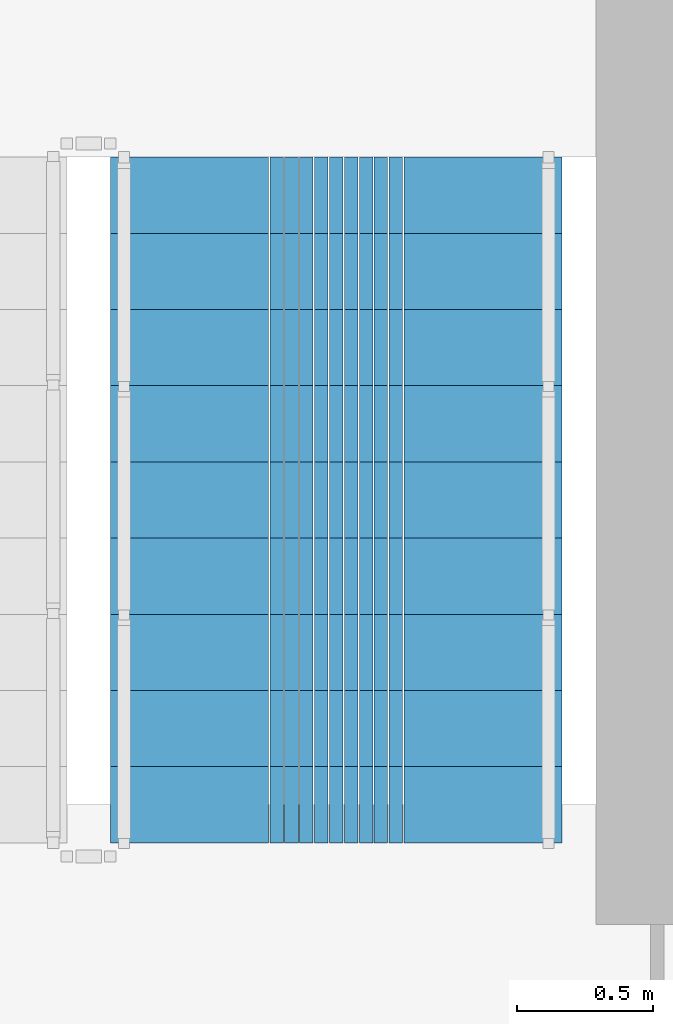
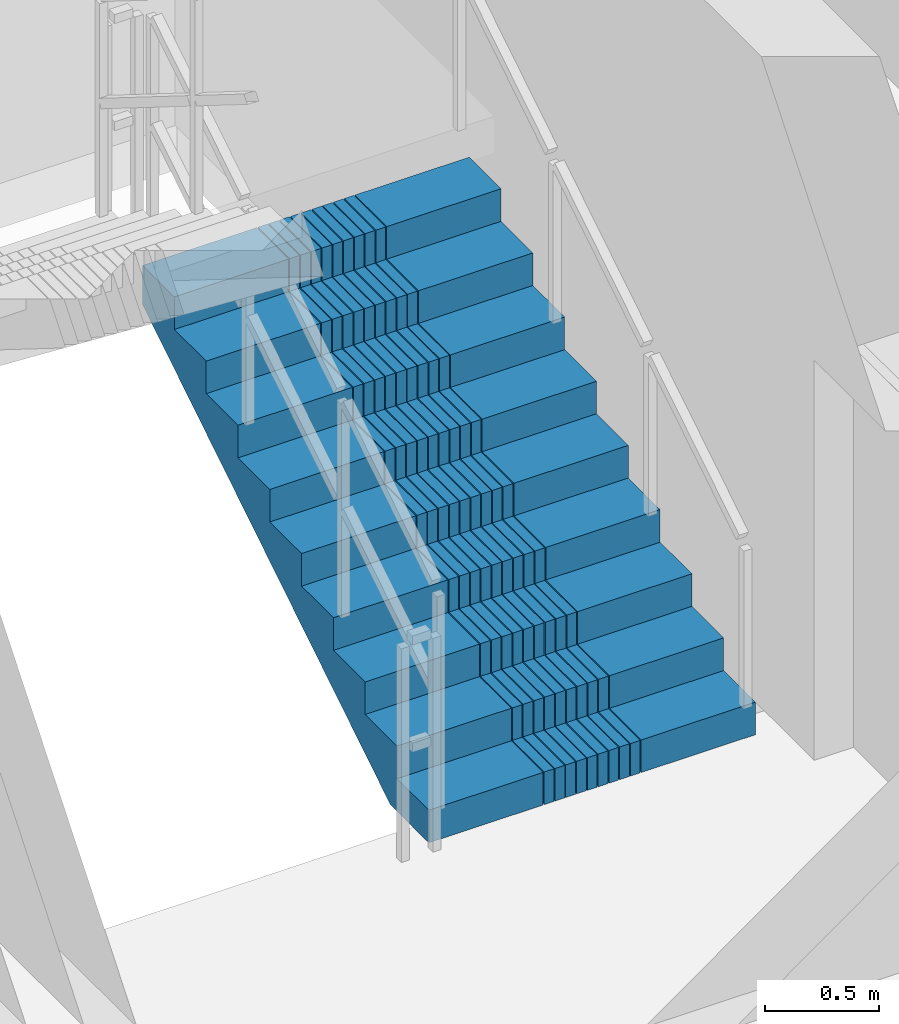
# One storey, part 12 of 13: 1 stair flight, 1 element without a shape of its own.
"""IFC4 building model written with IfcOpenShell, lengths in metres."""

from ifc_helpers import new_model, si_unit, direction, frame, origin, place, context, subcontext, project, spatial, polyline, outline, extrude, material, type_object, element, aggregate, save


model = new_model("IFC4")

# Units and contexts
model_context = context("Model", 3, precision=1e-05, world=origin(), true_north=direction((0.0, 1.0)))
body_context = subcontext(model_context, "Body", "Model", "MODEL_VIEW")
ifc_project = project(units=[si_unit("LENGTHUNIT", "METRE"), si_unit("AREAUNIT", "SQUARE_METRE"), si_unit("VOLUMEUNIT", "CUBIC_METRE"), si_unit("PLANEANGLEUNIT", "RADIAN"), si_unit("MASSUNIT", "GRAM", prefix="KILO")], contexts=[model_context])

# Site, building, storey
site_placement = place(None, origin())
site = spatial("IfcSite", under=ifc_project, at=site_placement, CompositionType="ELEMENT")
building_placement = place(site_placement, origin())
building = spatial("IfcBuilding", under=site, at=building_placement, Name="Saelheon Loggia Tower", CompositionType="ELEMENT")
storey_placement = place(building_placement, frame((0.0, 0.0, 148.699951171875)))
storey = spatial("IfcBuildingStorey", under=building, at=storey_placement, Name="L47", CompositionType="ELEMENT", Elevation=148.699951171875)

# Stair, stair flight
ifc_material = material(Name="Concrete C40/50", Category="concrete")
stair_type = type_object("IfcStairType", Name="Stair_Escape_Core", PredefinedType="HALF_TURN_STAIR", material=ifc_material)
stair_placement = place(storey_placement, origin())
stair = element("IfcStair", 1, at=stair_placement, inside=storey, type_object=stair_type, Name="L47 Special Escape Stair ST2", PredefinedType="HALF_TURN_STAIR")
stair_flight_type = type_object("IfcStairFlightType", Name="StairFlight_Tower_1660", PredefinedType="STRAIGHT", material=ifc_material)
stair_flight_placement = place(storey_placement, frame((43.320068359375, 30.449951171875, 0.0), z_axis=(0.0, 0.0, 1.0), x_axis=(0.0, 1.0, 0.0)))
stair_flight = element("IfcStairFlight", 2, at=stair_flight_placement, type_object=stair_flight_type, Name="ST2 flight 1", NumberOfRisers=10, NumberOfTreads=9, PredefinedType="STRAIGHT", RiserHeight=0.175, TreadLength=0.28, context=body_context, shape_type="SweptSolid", body=[
    extrude(outline(polyline([(0.0, 0.0), (0.0, 0.175048828125), (0.280029296875, 0.175048828125), (0.280029296875, 0.35009765625), (0.56005859375, 0.35009765625), (0.56005859375, 0.52490234375), (0.840087890625, 0.52490234375), (0.840087890625, 0.699951171875), (1.1201171875, 0.699951171875), (1.1201171875, 0.875), (1.39990234375, 0.875), (1.39990234375, 1.050048828125), (1.679931640625, 1.050048828125), (1.679931640625, 1.22509765625), (1.9599609375, 1.22509765625), (1.9599609375, 1.39990234375), (2.239990234375, 1.39990234375), (2.239990234375, 1.574951171875), (2.52001953125, 1.574951171875), (2.52001953125, 1.75), (2.52001953125, 1.36279296875), (0.339599609375, 0.0), (0.0, 0.0)])), frame((0.0, -0.2490234375, 0.0), z_axis=(0.0, -1.0, 0.0), x_axis=(1.0, 0.0, 0.0)), (0.0, 0.0, 1.0), 0.5810546875),
    extrude(outline(polyline([(0.0, 0.0), (0.0, 0.175048828125), (0.280029296875, 0.175048828125), (0.280029296875, 0.35009765625), (0.56005859375, 0.35009765625), (0.56005859375, 0.52490234375), (0.840087890625, 0.52490234375), (0.840087890625, 0.699951171875), (1.1201171875, 0.699951171875), (1.1201171875, 0.875), (1.39990234375, 0.875), (1.39990234375, 1.050048828125), (1.679931640625, 1.050048828125), (1.679931640625, 1.22509765625), (1.9599609375, 1.22509765625), (1.9599609375, 1.39990234375), (2.239990234375, 1.39990234375), (2.239990234375, 1.574951171875), (2.52001953125, 1.574951171875), (2.52001953125, 1.75), (2.52001953125, 1.36279296875), (0.339599609375, 0.0), (0.0, 0.0)])), frame((0.0, -0.194091796875, 0.0), z_axis=(0.0, -1.0, 0.0), x_axis=(1.0, 0.0, 0.0)), (0.0, 0.0, 1.0), 0.0498046875),
    extrude(outline(polyline([(0.0, 0.0), (0.0, 0.175048828125), (0.280029296875, 0.175048828125), (0.280029296875, 0.35009765625), (0.56005859375, 0.35009765625), (0.56005859375, 0.52490234375), (0.840087890625, 0.52490234375), (0.840087890625, 0.699951171875), (1.1201171875, 0.699951171875), (1.1201171875, 0.875), (1.39990234375, 0.875), (1.39990234375, 1.050048828125), (1.679931640625, 1.050048828125), (1.679931640625, 1.22509765625), (1.9599609375, 1.22509765625), (1.9599609375, 1.39990234375), (2.239990234375, 1.39990234375), (2.239990234375, 1.574951171875), (2.52001953125, 1.574951171875), (2.52001953125, 1.75), (2.52001953125, 1.36279296875), (0.339599609375, 0.0), (0.0, 0.0)])), frame((0.0, -0.139404296875, 0.0), z_axis=(0.0, -1.0, 0.0), x_axis=(1.0, 0.0, 0.0)), (0.0, 0.0, 1.0), 0.0498046875),
    extrude(outline(polyline([(0.0, 0.0), (0.0, 0.175048828125), (0.280029296875, 0.175048828125), (0.280029296875, 0.35009765625), (0.56005859375, 0.35009765625), (0.56005859375, 0.52490234375), (0.840087890625, 0.52490234375), (0.840087890625, 0.699951171875), (1.1201171875, 0.699951171875), (1.1201171875, 0.875), (1.39990234375, 0.875), (1.39990234375, 1.050048828125), (1.679931640625, 1.050048828125), (1.679931640625, 1.22509765625), (1.9599609375, 1.22509765625), (1.9599609375, 1.39990234375), (2.239990234375, 1.39990234375), (2.239990234375, 1.574951171875), (2.52001953125, 1.574951171875), (2.52001953125, 1.75), (2.52001953125, 1.36279296875), (0.339599609375, 0.0), (0.0, 0.0)])), frame((0.0, -0.084716796875, 0.0), z_axis=(0.0, -1.0, 0.0), x_axis=(1.0, 0.0, 0.0)), (0.0, 0.0, 1.0), 0.0498046875),
    extrude(outline(polyline([(0.0, 0.0), (0.0, 0.175048828125), (0.280029296875, 0.175048828125), (0.280029296875, 0.35009765625), (0.56005859375, 0.35009765625), (0.56005859375, 0.52490234375), (0.840087890625, 0.52490234375), (0.840087890625, 0.699951171875), (1.1201171875, 0.699951171875), (1.1201171875, 0.875), (1.39990234375, 0.875), (1.39990234375, 1.050048828125), (1.679931640625, 1.050048828125), (1.679931640625, 1.22509765625), (1.9599609375, 1.22509765625), (1.9599609375, 1.39990234375), (2.239990234375, 1.39990234375), (2.239990234375, 1.574951171875), (2.52001953125, 1.574951171875), (2.52001953125, 1.75), (2.52001953125, 1.36279296875), (0.339599609375, 0.0), (0.0, 0.0)])), frame((0.0, -0.02978515625, 0.0), z_axis=(0.0, -1.0, 0.0), x_axis=(1.0, 0.0, 0.0)), (0.0, 0.0, 1.0), 0.0498046875),
    extrude(outline(polyline([(0.0, 0.0), (0.0, 0.175048828125), (0.280029296875, 0.175048828125), (0.280029296875, 0.35009765625), (0.56005859375, 0.35009765625), (0.56005859375, 0.52490234375), (0.840087890625, 0.52490234375), (0.840087890625, 0.699951171875), (1.1201171875, 0.699951171875), (1.1201171875, 0.875), (1.39990234375, 0.875), (1.39990234375, 1.050048828125), (1.679931640625, 1.050048828125), (1.679931640625, 1.22509765625), (1.9599609375, 1.22509765625), (1.9599609375, 1.39990234375), (2.239990234375, 1.39990234375), (2.239990234375, 1.574951171875), (2.52001953125, 1.574951171875), (2.52001953125, 1.75), (2.52001953125, 1.36279296875), (0.339599609375, 0.0), (0.0, 0.0)])), frame((0.0, 0.02490234375, 0.0), z_axis=(0.0, -1.0, 0.0), x_axis=(1.0, 0.0, 0.0)), (0.0, 0.0, 1.0), 0.0498046875),
    extrude(outline(polyline([(0.0, 0.0), (0.0, 0.175048828125), (0.280029296875, 0.175048828125), (0.280029296875, 0.35009765625), (0.56005859375, 0.35009765625), (0.56005859375, 0.52490234375), (0.840087890625, 0.52490234375), (0.840087890625, 0.699951171875), (1.1201171875, 0.699951171875), (1.1201171875, 0.875), (1.39990234375, 0.875), (1.39990234375, 1.050048828125), (1.679931640625, 1.050048828125), (1.679931640625, 1.22509765625), (1.9599609375, 1.22509765625), (1.9599609375, 1.39990234375), (2.239990234375, 1.39990234375), (2.239990234375, 1.574951171875), (2.52001953125, 1.574951171875), (2.52001953125, 1.75), (2.52001953125, 1.36279296875), (0.339599609375, 0.0), (0.0, 0.0)])), frame((0.0, 0.07958984375, 0.0), z_axis=(0.0, -1.0, 0.0), x_axis=(1.0, 0.0, 0.0)), (0.0, 0.0, 1.0), 0.0498046875),
    extrude(outline(polyline([(0.0, 0.0), (0.0, 0.175048828125), (0.280029296875, 0.175048828125), (0.280029296875, 0.35009765625), (0.56005859375, 0.35009765625), (0.56005859375, 0.52490234375), (0.840087890625, 0.52490234375), (0.840087890625, 0.699951171875), (1.1201171875, 0.699951171875), (1.1201171875, 0.875), (1.39990234375, 0.875), (1.39990234375, 1.050048828125), (1.679931640625, 1.050048828125), (1.679931640625, 1.22509765625), (1.9599609375, 1.22509765625), (1.9599609375, 1.39990234375), (2.239990234375, 1.39990234375), (2.239990234375, 1.574951171875), (2.52001953125, 1.574951171875), (2.52001953125, 1.75), (2.52001953125, 1.36279296875), (0.339599609375, 0.0), (0.0, 0.0)])), frame((0.0, 0.134521484375, 0.0), z_axis=(0.0, -1.0, 0.0), x_axis=(1.0, 0.0, 0.0)), (0.0, 0.0, 1.0), 0.0498046875),
    extrude(outline(polyline([(0.0, 0.0), (0.0, 0.175048828125), (0.280029296875, 0.175048828125), (0.280029296875, 0.35009765625), (0.56005859375, 0.35009765625), (0.56005859375, 0.52490234375), (0.840087890625, 0.52490234375), (0.840087890625, 0.699951171875), (1.1201171875, 0.699951171875), (1.1201171875, 0.875), (1.39990234375, 0.875), (1.39990234375, 1.050048828125), (1.679931640625, 1.050048828125), (1.679931640625, 1.22509765625), (1.9599609375, 1.22509765625), (1.9599609375, 1.39990234375), (2.239990234375, 1.39990234375), (2.239990234375, 1.574951171875), (2.52001953125, 1.574951171875), (2.52001953125, 1.75), (2.52001953125, 1.36279296875), (0.339599609375, 0.0), (0.0, 0.0)])), frame((0.0, 0.189208984375, 0.0), z_axis=(0.0, -1.0, 0.0), x_axis=(1.0, 0.0, 0.0)), (0.0, 0.0, 1.0), 0.0498046875),
    extrude(outline(polyline([(0.0, 0.0), (0.0, 0.175048828125), (0.280029296875, 0.175048828125), (0.280029296875, 0.35009765625), (0.56005859375, 0.35009765625), (0.56005859375, 0.52490234375), (0.840087890625, 0.52490234375), (0.840087890625, 0.699951171875), (1.1201171875, 0.699951171875), (1.1201171875, 0.875), (1.39990234375, 0.875), (1.39990234375, 1.050048828125), (1.679931640625, 1.050048828125), (1.679931640625, 1.22509765625), (1.9599609375, 1.22509765625), (1.9599609375, 1.39990234375), (2.239990234375, 1.39990234375), (2.239990234375, 1.574951171875), (2.52001953125, 1.574951171875), (2.52001953125, 1.75), (2.52001953125, 1.36279296875), (0.339599609375, 0.0), (0.0, 0.0)])), frame((0.0, 0.243896484375, 0.0), z_axis=(0.0, -1.0, 0.0), x_axis=(1.0, 0.0, 0.0)), (0.0, 0.0, 1.0), 0.0498046875),
    extrude(outline(polyline([(0.0, 0.0), (0.0, 0.175048828125), (0.280029296875, 0.175048828125), (0.280029296875, 0.35009765625), (0.56005859375, 0.35009765625), (0.56005859375, 0.52490234375), (0.840087890625, 0.52490234375), (0.840087890625, 0.699951171875), (1.1201171875, 0.699951171875), (1.1201171875, 0.875), (1.39990234375, 0.875), (1.39990234375, 1.050048828125), (1.679931640625, 1.050048828125), (1.679931640625, 1.22509765625), (1.9599609375, 1.22509765625), (1.9599609375, 1.39990234375), (2.239990234375, 1.39990234375), (2.239990234375, 1.574951171875), (2.52001953125, 1.574951171875), (2.52001953125, 1.75), (2.52001953125, 1.36279296875), (0.339599609375, 0.0), (0.0, 0.0)])), frame((0.0, 0.830078125, 0.0), z_axis=(0.0, -1.0, 0.0), x_axis=(1.0, 0.0, 0.0)), (0.0, 0.0, 1.0), 0.5810546875),
])
aggregate(stair, [stair_flight])

save(model, "model.ifc")
